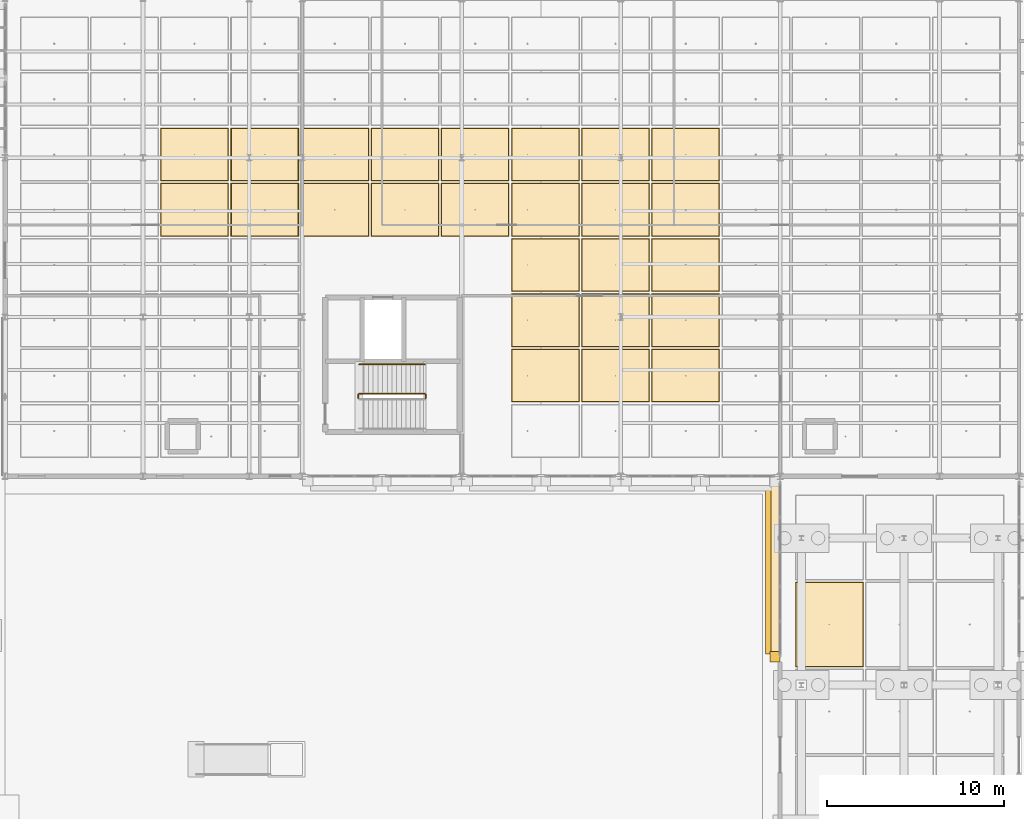
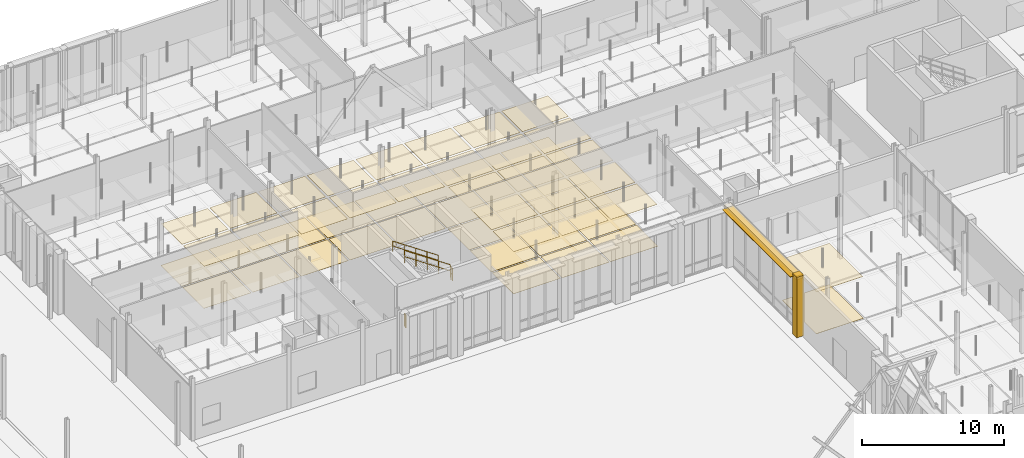
# One storey, part 173 of 180: 54 coverings, 4 railings, 1 shading device.
"""IFC4 building model written with IfcOpenShell, lengths in metres."""

from ifc_helpers import new_model, si_unit, direction, frame, origin, origin_2d, place, context, subcontext, project, spatial, rectangle, circle, extrude, material, layer, layer_set, type_object, element, save


model = new_model("IFC4")

# Units and contexts
model_context = context("Model", 3, precision=1e-05, world=origin(), true_north=direction((0.0, 1.0)))
body_context = subcontext(model_context, "Body", "Model", "MODEL_VIEW")
ifc_project = project(units=[si_unit("LENGTHUNIT", "METRE"), si_unit("AREAUNIT", "SQUARE_METRE"), si_unit("VOLUMEUNIT", "CUBIC_METRE"), si_unit("PLANEANGLEUNIT", "RADIAN"), si_unit("MASSUNIT", "GRAM", prefix="KILO"), si_unit("THERMODYNAMICTEMPERATUREUNIT", "KELVIN"), si_unit("POWERUNIT", "WATT")], contexts=[model_context])

# Site, building, storey
site_placement = place(None, origin())
site = spatial("IfcSite", under=ifc_project, at=site_placement, CompositionType="ELEMENT")
building_placement = place(site_placement, origin())
building = spatial("IfcBuilding", under=site, at=building_placement, Name="Tallowbark Science Centre", CompositionType="ELEMENT")
storey_placement = place(building_placement, origin())
storey = spatial("IfcBuildingStorey", under=building, at=storey_placement, Name="L00", CompositionType="ELEMENT", Elevation=0.0)

# Coverings
ifc_material_1 = material(Name="Cleanable Vinyl-Faced Laboratory Ceiling Tile")
ifc_layer_1 = layer(ifc_material_1, 0.01611328125)
ifc_layer_set_1 = layer_set([ifc_layer_1], Name="Cleanable Vinyl-Faced Laboratory Ceiling Tile")
covering_type_1 = type_object("IfcCoveringType", Name="CLG-LAB-16", PredefinedType="CEILING", material=ifc_layer_set_1)
for number, where, z_axis, x_axis, name in (
    (1, (65.91064453125, 87.0625, 3.592041015625), (0.0, 0.0, 1.0), (1.0, 0.0, 0.0), "Suspended Ceiling L00-317"),
    (2, (65.91064453125, 90.1875, 3.592041015625), (0.0, 0.0, 1.0), (1.0, 0.0, 0.0), "Suspended Ceiling L00-318"),
    (3, (69.875, 87.0625, 3.592041015625), (0.0, 0.0, 1.0), (1.0, 0.0, 0.0), "Suspended Ceiling L00-325"),
    (4, (69.875, 90.1875, 3.592041015625), (0.0, 0.0, 1.0), (1.0, 0.0, 0.0), "Suspended Ceiling L00-326"),
    (5, (73.83935546875, 87.0625, 3.592041015625), (0.0, 0.0, 1.0), (1.0, 0.0, 0.0), "Suspended Ceiling L00-329"),
    (6, (73.83935546875, 90.1875, 3.592041015625), (0.0, 0.0, 1.0), (1.0, 0.0, 0.0), "Suspended Ceiling L00-330"),
    (7, (77.8037109375, 87.0625, 3.592041015625), (0.0, 0.0, 1.0), (1.0, 0.0, 0.0), "Suspended Ceiling L00-333"),
    (8, (77.8037109375, 90.1875, 3.592041015625), (0.0, 0.0, 1.0), (1.0, 0.0, 0.0), "Suspended Ceiling L00-334"),
    (9, (81.767822265625, 87.0625, 3.592041015625), (0.0, 0.0, 1.0), (1.0, 0.0, 0.0), "Suspended Ceiling L00-337"),
    (10, (81.767822265625, 90.1875, 3.592041015625), (0.0, 0.0, 1.0), (1.0, 0.0, 0.0), "Suspended Ceiling L00-338"),
    (11, (85.732177734375, 77.6875, 3.592041015625), (0.0, 0.0, 1.0), (1.0, 0.0, 0.0), "Suspended Ceiling L00-342"),
    (12, (85.732177734375, 80.8125, 3.592041015625), (0.0, 0.0, 1.0), (1.0, 0.0, 0.0), "Suspended Ceiling L00-343"),
    (13, (85.732177734375, 83.9375, 3.592041015625), (0.0, 0.0, 1.0), (1.0, 0.0, 0.0), "Suspended Ceiling L00-344"),
    (14, (85.732177734375, 87.0625, 3.592041015625), (0.0, 0.0, 1.0), (1.0, 0.0, 0.0), "Suspended Ceiling L00-345"),
    (15, (85.732177734375, 90.1875, 3.592041015625), (0.0, 0.0, 1.0), (1.0, 0.0, 0.0), "Suspended Ceiling L00-346"),
    (16, (89.6962890625, 77.6875, 3.592041015625), (0.0, 0.0, 1.0), (1.0, 0.0, 0.0), "Suspended Ceiling L00-350"),
    (17, (89.6962890625, 80.8125, 3.592041015625), (0.0, 0.0, 1.0), (1.0, 0.0, 0.0), "Suspended Ceiling L00-351"),
    (18, (89.6962890625, 83.9375, 3.592041015625), (0.0, 0.0, 1.0), (1.0, 0.0, 0.0), "Suspended Ceiling L00-352"),
    (19, (89.6962890625, 87.0625, 3.592041015625), (0.0, 0.0, 1.0), (1.0, 0.0, 0.0), "Suspended Ceiling L00-353"),
    (20, (89.6962890625, 90.1875, 3.592041015625), (0.0, 0.0, 1.0), (1.0, 0.0, 0.0), "Suspended Ceiling L00-354"),
    (21, (93.66064453125, 77.6875, 3.592041015625), (0.0, 0.0, 1.0), (1.0, 0.0, 0.0), "Suspended Ceiling L00-358"),
    (22, (93.66064453125, 80.8125, 3.592041015625), (0.0, 0.0, 1.0), (1.0, 0.0, 0.0), "Suspended Ceiling L00-359"),
    (23, (93.66064453125, 83.9375, 3.592041015625), (0.0, 0.0, 1.0), (1.0, 0.0, 0.0), "Suspended Ceiling L00-360"),
    (24, (93.66064453125, 87.0625, 3.592041015625), (0.0, 0.0, 1.0), (1.0, 0.0, 0.0), "Suspended Ceiling L00-361"),
    (25, (93.66064453125, 90.1875, 3.592041015625), (0.0, 0.0, 1.0), (1.0, 0.0, 0.0), "Suspended Ceiling L00-362"),
):
    element("IfcCovering", number, at=place(storey_placement, frame(where, z_axis=z_axis, x_axis=x_axis)), inside=storey, type_object=covering_type_1, Name=name, PredefinedType="CEILING", context=body_context, shape_type="SweptSolid", body=[
        extrude(rectangle(XDim=3.7841796875, YDim=2.945068359375, at=origin_2d()), origin(), (0.0, 0.0, 1.0), 0.01611328125),
    ])
ifc_material_2 = material(Name="Perforated Spotted Gum Acoustic Baffle Ceiling", Category="wood")
ifc_layer_2 = layer(ifc_material_2, 0.02490234375)
ifc_layer_set_2 = layer_set([ifc_layer_2], Name="Perforated Spotted Gum Acoustic Baffle Ceiling")
covering_type_2 = type_object("IfcCoveringType", Name="CLG-TIM-25", PredefinedType="CEILING", material=ifc_layer_set_2)
covering_1_placement = place(storey_placement, frame((101.783203125, 63.625, 3.587646484375), z_axis=(0.0, 0.0, 1.0), x_axis=(1.0, 0.0, 0.0)))
element("IfcCovering", 26, at=covering_1_placement, inside=storey, type_object=covering_type_2, Name="Suspended Ceiling L00-469", PredefinedType="CEILING", context=body_context, shape_type="SweptSolid", body=[
    extrude(rectangle(XDim=3.78662109375, YDim=4.73681640625, at=origin_2d()), origin(), (0.0, 0.0, 1.0), 0.02490234375),
])
ifc_material_3 = material(Name="White Architectural Precast Concrete Grade N40 (40 MPa)", Category="concrete")
ifc_layer_3 = layer(ifc_material_3, 0.1201171875)
ifc_layer_set_3 = layer_set([ifc_layer_3], Name="White Architectural Precast Concrete Grade N40 (40 MPa)")
covering_type_3 = type_object("IfcCoveringType", Name="COV-PRC-CLAD", PredefinedType="CLADDING", material=ifc_layer_set_3)
covering_2_placement = place(storey_placement, frame((98.719970703125, 61.804931640625, 0.0), z_axis=(0.0, 0.0, 1.0), x_axis=(0.0, -1.0, 0.0)))
element("IfcCovering", 27, at=covering_2_placement, inside=storey, type_object=covering_type_3, Name="Postmodern Deep Precast Pier CW-L00-008-2", PredefinedType="CLADDING", context=body_context, shape_type="SweptSolid", body=[
    extrude(rectangle(XDim=0.610107421875, YDim=0.56005859375, at=origin_2d()), origin(), (0.0, 0.0, 1.0), 5.219970703125),
])
ifc_material_4 = material(Name="Vitrified Ochre Terracotta Architectural Rainscreen", Category="masonry")
ifc_layer_4 = layer(ifc_material_4, 0.0380859375)
ifc_layer_set_4 = layer_set([ifc_layer_4], Name="Vitrified Ochre Terracotta Architectural Rainscreen")
covering_type_4 = type_object("IfcCoveringType", Name="COV-TER-CLAD", PredefinedType="CLADDING", material=ifc_layer_set_4)
covering_3_placement = place(storey_placement, frame((98.739990234375, 66.75, 4.8701171875), z_axis=(0.0, 0.0, 1.0), x_axis=(0.0, -1.0, 0.0)))
element("IfcCovering", 28, at=covering_3_placement, inside=storey, type_object=covering_type_4, Name="Postmodern Terracotta Cornice Band CW-L00-008", PredefinedType="CLADDING", context=body_context, shape_type="SweptSolid", body=[
    extrude(rectangle(XDim=10.199951171875, YDim=0.52001953125, at=origin_2d()), origin(), (0.0, 0.0, 1.0), 0.340087890625),
])
ifc_material_5 = material(Name="Polished Recycled-Glass Terrazzo Foyer Flooring", Category="glass")
ifc_layer_5 = layer(ifc_material_5, 0.02001953125)
ifc_layer_set_5 = layer_set([ifc_layer_5], Name="Polished Recycled-Glass Terrazzo Foyer Flooring")
covering_type_5 = type_object("IfcCoveringType", Name="FLR-TER-20", PredefinedType="FLOORING", material=ifc_layer_set_5)
covering_4_placement = place(storey_placement, frame((101.783203125, 63.625, 0.0), z_axis=(0.0, 0.0, 1.0), x_axis=(1.0, 0.0, 0.0)))
element("IfcCovering", 29, at=covering_4_placement, inside=storey, type_object=covering_type_5, Name="Floor Finish L00-469", PredefinedType="FLOORING", context=body_context, shape_type="SweptSolid", body=[
    extrude(rectangle(XDim=3.8466796875, YDim=4.796630859375, at=origin_2d()), origin(), (0.0, 0.0, 1.0), 0.02001953125),
])
ifc_material_6 = material(Name="Chemical-Resistant Seamless Laboratory Vinyl")
ifc_layer_6 = layer(ifc_material_6, 0.011962890625)
ifc_layer_set_6 = layer_set([ifc_layer_6], Name="Chemical-Resistant Seamless Laboratory Vinyl")
covering_type_6 = type_object("IfcCoveringType", Name="FLR-VIN-12", PredefinedType="FLOORING", material=ifc_layer_set_6)
for number, where, z_axis, x_axis, name in (
    (30, (65.91064453125, 87.0625, 0.0), (0.0, 0.0, 1.0), (1.0, 0.0, 0.0), "Floor Finish L00-317"),
    (31, (65.91064453125, 90.1875, 0.0), (0.0, 0.0, 1.0), (1.0, 0.0, 0.0), "Floor Finish L00-318"),
    (32, (69.875, 87.0625, 0.0), (0.0, 0.0, 1.0), (1.0, 0.0, 0.0), "Floor Finish L00-325"),
    (33, (69.875, 90.1875, 0.0), (0.0, 0.0, 1.0), (1.0, 0.0, 0.0), "Floor Finish L00-326"),
    (34, (73.83935546875, 87.0625, 0.0), (0.0, 0.0, 1.0), (1.0, 0.0, 0.0), "Floor Finish L00-329"),
    (35, (73.83935546875, 90.1875, 0.0), (0.0, 0.0, 1.0), (1.0, 0.0, 0.0), "Floor Finish L00-330"),
    (36, (77.8037109375, 87.0625, 0.0), (0.0, 0.0, 1.0), (1.0, 0.0, 0.0), "Floor Finish L00-333"),
    (37, (77.8037109375, 90.1875, 0.0), (0.0, 0.0, 1.0), (1.0, 0.0, 0.0), "Floor Finish L00-334"),
    (38, (81.767822265625, 87.0625, 0.0), (0.0, 0.0, 1.0), (1.0, 0.0, 0.0), "Floor Finish L00-337"),
    (39, (81.767822265625, 90.1875, 0.0), (0.0, 0.0, 1.0), (1.0, 0.0, 0.0), "Floor Finish L00-338"),
    (40, (85.732177734375, 77.6875, 0.0), (0.0, 0.0, 1.0), (1.0, 0.0, 0.0), "Floor Finish L00-342"),
    (41, (85.732177734375, 80.8125, 0.0), (0.0, 0.0, 1.0), (1.0, 0.0, 0.0), "Floor Finish L00-343"),
    (42, (85.732177734375, 83.9375, 0.0), (0.0, 0.0, 1.0), (1.0, 0.0, 0.0), "Floor Finish L00-344"),
    (43, (85.732177734375, 87.0625, 0.0), (0.0, 0.0, 1.0), (1.0, 0.0, 0.0), "Floor Finish L00-345"),
    (44, (85.732177734375, 90.1875, 0.0), (0.0, 0.0, 1.0), (1.0, 0.0, 0.0), "Floor Finish L00-346"),
    (45, (89.6962890625, 77.6875, 0.0), (0.0, 0.0, 1.0), (1.0, 0.0, 0.0), "Floor Finish L00-350"),
    (46, (89.6962890625, 80.8125, 0.0), (0.0, 0.0, 1.0), (1.0, 0.0, 0.0), "Floor Finish L00-351"),
    (47, (89.6962890625, 83.9375, 0.0), (0.0, 0.0, 1.0), (1.0, 0.0, 0.0), "Floor Finish L00-352"),
    (48, (89.6962890625, 87.0625, 0.0), (0.0, 0.0, 1.0), (1.0, 0.0, 0.0), "Floor Finish L00-353"),
    (49, (89.6962890625, 90.1875, 0.0), (0.0, 0.0, 1.0), (1.0, 0.0, 0.0), "Floor Finish L00-354"),
    (50, (93.66064453125, 77.6875, 0.0), (0.0, 0.0, 1.0), (1.0, 0.0, 0.0), "Floor Finish L00-358"),
    (51, (93.66064453125, 80.8125, 0.0), (0.0, 0.0, 1.0), (1.0, 0.0, 0.0), "Floor Finish L00-359"),
    (52, (93.66064453125, 83.9375, 0.0), (0.0, 0.0, 1.0), (1.0, 0.0, 0.0), "Floor Finish L00-360"),
    (53, (93.66064453125, 87.0625, 0.0), (0.0, 0.0, 1.0), (1.0, 0.0, 0.0), "Floor Finish L00-361"),
    (54, (93.66064453125, 90.1875, 0.0), (0.0, 0.0, 1.0), (1.0, 0.0, 0.0), "Floor Finish L00-362"),
):
    element("IfcCovering", number, at=place(storey_placement, frame(where, z_axis=z_axis, x_axis=x_axis)), inside=storey, type_object=covering_type_6, Name=name, PredefinedType="FLOORING", context=body_context, shape_type="SweptSolid", body=[
        extrude(rectangle(XDim=3.84423828125, YDim=3.0048828125, at=origin_2d()), origin(), (0.0, 0.0, 1.0), 0.011962890625),
    ])

# Railings
ifc_material_7 = material(Name="Galvanised Painted Steel and Laminated Glass Balustrade", Category="steel")
ifc_layer_7 = layer(ifc_material_7, 0.070068359375)
ifc_layer_set_7 = layer_set([ifc_layer_7], Name="Galvanised Painted Steel and Laminated Glass Balustrade")
railing_type_1 = type_object("IfcRailingType", Name="RLG-BAL-1150", PredefinedType="BALUSTRADE", material=ifc_layer_set_7)
railing_1_placement = place(storey_placement, frame((78.969970703125, 76.409912109375, 2.699951171875)))
element("IfcRailing", 55, at=railing_1_placement, inside=storey, type_object=railing_type_1, Name="L00 ST-01 stair guard 2", PredefinedType="BALUSTRADE", context=body_context, shape_type="SweptSolid", body=[
    extrude(circle(Radius=0.02392578125, at=origin_2d()), frame((0.0, 0.0, 1.076171875), z_axis=(0.0, 1.0, 0.0), x_axis=(-1.0, 0.0, 0.0)), (0.0, 0.0, 1.0), 0.2001953125),
    extrude(circle(Radius=0.02392578125, at=origin_2d()), frame((0.0, 0.0, 0.550048828125), z_axis=(0.0, 1.0, 0.0), x_axis=(-1.0, 0.0, 0.0)), (0.0, 0.0, 1.0), 0.2001953125),
    extrude(circle(Radius=0.02099609375, at=origin_2d()), origin(), (0.0, 0.0, 1.0), 1.052001953125),
    extrude(circle(Radius=0.02099609375, at=origin_2d()), frame((0.0, 0.2001953125, 0.0)), (0.0, 0.0, 1.0), 1.052001953125),
])
railing_2_placement = place(storey_placement, frame((78.919921875, 76.659912109375, 2.8798828125)))
element("IfcRailing", 56, at=railing_2_placement, inside=storey, type_object=railing_type_1, Name="L00 ST-01 stair guard 3", PredefinedType="BALUSTRADE", context=body_context, shape_type="SweptSolid", body=[
    extrude(circle(Radius=0.02392578125, at=origin_2d()), frame((0.0, 0.0, 1.076171875), z_axis=(-0.827211917306, 0.0, 0.561890063861), x_axis=(0.0, -1.0, 0.0)), (0.0, 0.0, 1.0), 4.48486328125),
    extrude(circle(Radius=0.02392578125, at=origin_2d()), frame((0.0, 0.0, 0.550048828125), z_axis=(-0.827211917306, 0.0, 0.561890063861), x_axis=(0.0, -1.0, 0.0)), (0.0, 0.0, 1.0), 4.48486328125),
    extrude(circle(Radius=0.02099609375, at=origin_2d()), origin(), (0.0, 0.0, 1.0), 1.052001953125),
    extrude(circle(Radius=0.02099609375, at=origin_2d()), frame((-0.927490234375, 0.0, 0.6298828125)), (0.0, 0.0, 1.0), 1.052001953125),
    extrude(circle(Radius=0.02099609375, at=origin_2d()), frame((-1.85498046875, 0.0, 1.260009765625)), (0.0, 0.0, 1.0), 1.052001953125),
    extrude(circle(Radius=0.02099609375, at=origin_2d()), frame((-2.782470703125, 0.0, 1.89013671875)), (0.0, 0.0, 1.0), 1.052001953125),
    extrude(circle(Radius=0.02099609375, at=origin_2d()), frame((-3.7099609375, 0.0, 2.52001953125)), (0.0, 0.0, 1.0), 1.052001953125),
])
railing_3_placement = place(storey_placement, frame((75.159912109375, 76.409912109375, 0.0)))
element("IfcRailing", 57, at=railing_3_placement, inside=storey, type_object=railing_type_1, Name="L00 ST-01 stair guard 4", PredefinedType="BALUSTRADE", context=body_context, shape_type="SweptSolid", body=[
    extrude(circle(Radius=0.02392578125, at=origin_2d()), frame((0.0, 0.0, 1.076171875), z_axis=(0.0, 1.0, 0.0), x_axis=(-1.0, 0.0, 0.0)), (0.0, 0.0, 1.0), 0.2001953125),
    extrude(circle(Radius=0.02392578125, at=origin_2d()), frame((0.0, 0.0, 0.550048828125), z_axis=(0.0, 1.0, 0.0), x_axis=(-1.0, 0.0, 0.0)), (0.0, 0.0, 1.0), 0.2001953125),
    extrude(circle(Radius=0.02099609375, at=origin_2d()), origin(), (0.0, 0.0, 1.0), 1.052001953125),
    extrude(circle(Radius=0.02099609375, at=origin_2d()), frame((0.0, 0.2001953125, 0.0)), (0.0, 0.0, 1.0), 1.052001953125),
])
ifc_material_8 = material(Name="Brushed Grade 316 Stainless Steel Handrail", Category="steel")
ifc_layer_8 = layer(ifc_material_8, 0.050048828125)
ifc_layer_set_8 = layer_set([ifc_layer_8], Name="Brushed Grade 316 Stainless Steel Handrail")
railing_type_2 = type_object("IfcRailingType", Name="RLG-HDR-950", PredefinedType="HANDRAIL", material=ifc_layer_set_8)
railing_4_placement = place(storey_placement, frame((78.919921875, 78.320068359375, 2.8798828125)))
element("IfcRailing", 58, at=railing_4_placement, inside=storey, type_object=railing_type_2, Name="L00 ST-01 stair handrail 2", PredefinedType="HANDRAIL", context=body_context, shape_type="SweptSolid", body=[
    extrude(circle(Radius=0.02392578125, at=origin_2d()), frame((0.0, 0.0, 0.8759765625), z_axis=(-0.827211917306, 0.0, 0.561890063861), x_axis=(0.0, -1.0, 0.0)), (0.0, 0.0, 1.0), 4.48486328125),
    extrude(circle(Radius=0.02392578125, at=origin_2d()), frame((0.0, 0.0, 0.449951171875), z_axis=(-0.827211917306, 0.0, 0.561890063861), x_axis=(0.0, -1.0, 0.0)), (0.0, 0.0, 1.0), 4.48486328125),
    extrude(circle(Radius=0.02099609375, at=origin_2d()), origin(), (0.0, 0.0, 1.0), 0.851806640625),
    extrude(circle(Radius=0.02099609375, at=origin_2d()), frame((-0.927490234375, 0.0, 0.6298828125)), (0.0, 0.0, 1.0), 0.851806640625),
    extrude(circle(Radius=0.02099609375, at=origin_2d()), frame((-1.85498046875, 0.0, 1.260009765625)), (0.0, 0.0, 1.0), 0.851806640625),
    extrude(circle(Radius=0.02099609375, at=origin_2d()), frame((-2.782470703125, 0.0, 1.89013671875)), (0.0, 0.0, 1.0), 0.851806640625),
    extrude(circle(Radius=0.02099609375, at=origin_2d()), frame((-3.7099609375, 0.0, 2.52001953125)), (0.0, 0.0, 1.0), 0.851806640625),
])

# Shading device
ifc_material_9 = material(Name="Terracotta-Anodised Extruded Aluminium Sunshade Blade", Category="masonry")
ifc_layer_9 = layer(ifc_material_9, 0.054931640625)
ifc_layer_set_9 = layer_set([ifc_layer_9], Name="Terracotta-Anodised Extruded Aluminium Sunshade Blade")
shading_device_type = type_object("IfcShadingDeviceType", Name="SHD-LVR-300", PredefinedType="AWNING", material=ifc_layer_set_9)
shading_device_placement = place(storey_placement, frame((98.580078125, 66.75, 5.03271484375), z_axis=(0.0, 0.0, 1.0), x_axis=(0.0, -1.0, 0.0)))
element("IfcShadingDevice", 59, at=shading_device_placement, inside=storey, type_object=shading_device_type, Name="Horizontal Solar Louvre Hood CW-L00-008", PredefinedType="AWNING", context=body_context, shape_type="SweptSolid", body=[
    extrude(rectangle(XDim=9.60009765625, YDim=0.840087890625, at=origin_2d()), origin(), (0.0, 0.0, 1.0), 0.054931640625),
])

save(model, "model.ifc")
